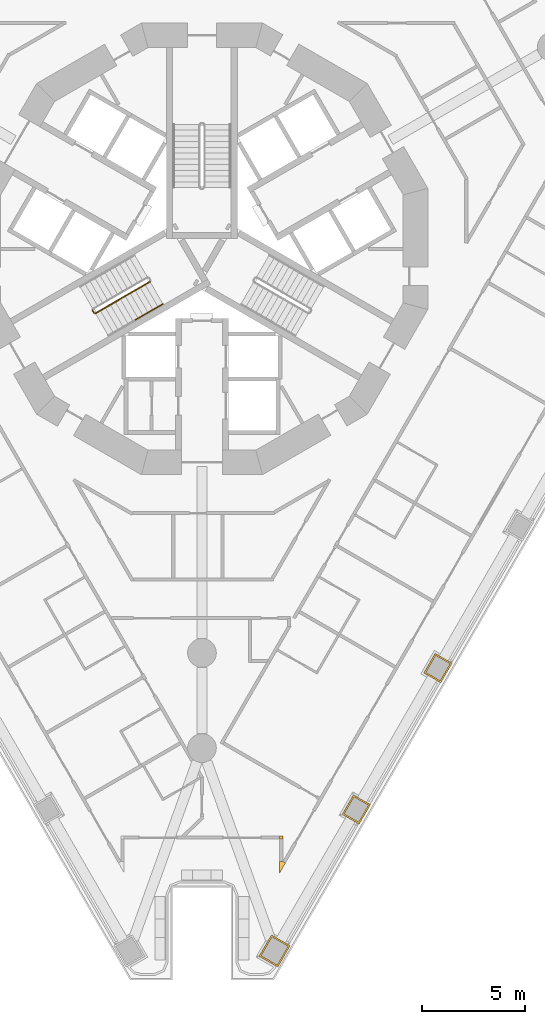
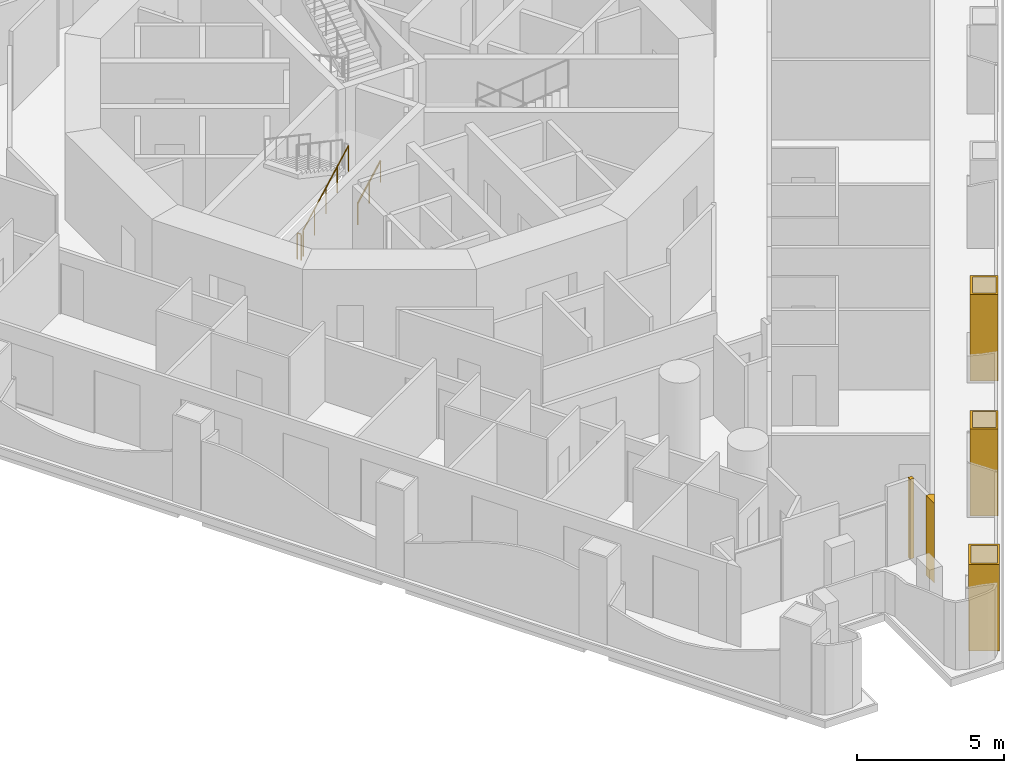
# One storey, part 14 of 20: 5 coverings, 3 railings.
"""IFC4 building model written with IfcOpenShell, lengths in metres."""

from ifc_helpers import new_model, si_unit, direction, frame, origin, origin_2d, place, context, subcontext, project, spatial, polyline, circle, outline, extrude, material, layer, layer_set, type_object, element, save


model = new_model("IFC4")

# Units and contexts
model_context = context("Model", 3, precision=1e-05, world=origin(), true_north=direction((0.0, 1.0)))
body_context = subcontext(model_context, "Body", "Model", "MODEL_VIEW")
ifc_project = project(units=[si_unit("LENGTHUNIT", "METRE"), si_unit("AREAUNIT", "SQUARE_METRE"), si_unit("VOLUMEUNIT", "CUBIC_METRE"), si_unit("PLANEANGLEUNIT", "RADIAN"), si_unit("MASSUNIT", "GRAM", prefix="KILO")], contexts=[model_context])

# Site, building, storey
site_placement = place(None, origin())
site = spatial("IfcSite", under=ifc_project, at=site_placement, CompositionType="ELEMENT")
building_placement = place(site_placement, origin())
building = spatial("IfcBuilding", under=site, at=building_placement, Name="Trine Commons Tower", CompositionType="ELEMENT")
storey_placement = place(building_placement, frame((0.0, 0.0, 35.10009765625)))
storey = spatial("IfcBuildingStorey", under=building, at=storey_placement, Name="L07", CompositionType="ELEMENT", Elevation=35.10009765625)

# Coverings
ifc_material_1 = material(Name="Aluminium-framed insulated wall panel", Category="aluminium")
ifc_layer_1 = layer(ifc_material_1, 0.14990234375)
ifc_layer_set_1 = layer_set([ifc_layer_1], Name="Aluminium-framed insulated wall panel")
covering_type_1 = type_object("IfcCoveringType", Name="Glazing corner post, aluminium", PredefinedType="CLADDING", material=ifc_layer_set_1)
covering_1_placement = place(storey_placement, origin())
element("IfcCovering", 1, at=covering_1_placement, inside=storey, type_object=covering_type_1, Name="Glazing corner post 1-09", PredefinedType="CLADDING", context=body_context, shape_type="SweptSolid", body=[
    extrude(outline(polyline([(83.7900390625, 32.635009765625), (83.7900390625, 32.0751953125), (84.06982421875, 32.56005859375), (83.93994140625, 32.635009765625), (83.93994140625, 32.635009765625), (83.7900390625, 32.635009765625)])), origin(), (0.0, 0.0, 1.0), 3.2998046875),
])
covering_2_placement = place(storey_placement, origin())
element("IfcCovering", 2, at=covering_2_placement, inside=storey, type_object=covering_type_1, Name="Glazing corner post 1-10", PredefinedType="CLADDING", context=body_context, shape_type="SweptSolid", body=[
    extrude(outline(polyline([(83.93994140625, 33.720703125), (83.93994140625, 33.870849609375), (83.7900390625, 33.870849609375), (83.7900390625, 33.720703125), (83.93994140625, 33.720703125)])), origin(), (0.0, 0.0, 1.0), 3.2998046875),
])
ifc_material_2 = material(Name="Limestone, honed", Category="masonry")
ifc_layer_2 = layer(ifc_material_2, 0.074951171875)
ifc_layer_set_2 = layer_set([ifc_layer_2], Name="Limestone, honed")
covering_type_2 = type_object("IfcCoveringType", Name="Limestone column cladding 75", PredefinedType="CLADDING", material=ifc_layer_set_2)
covering_3_placement = place(storey_placement, origin())
element("IfcCovering", 3, at=covering_3_placement, inside=storey, type_object=covering_type_2, Name="Limestone pier cladding 1-22", PredefinedType="CLADDING", context=body_context, shape_type="SweptSolid", body=[
    extrude(outline(polyline([(92.1943359375, 42.3017578125), (91.37158203125, 42.77685546875), (90.821533203125, 41.82421875), (91.644287109375, 41.34912109375), (92.1943359375, 42.3017578125)]), holes=[polyline([(92.091796875, 42.2744140625), (91.39892578125, 42.67431640625), (90.924072265625, 41.8515625), (91.61669921875, 41.45166015625), (92.091796875, 42.2744140625)])]), origin(), (0.0, 0.0, 1.0), 3.599853515625),
])
covering_4_placement = place(storey_placement, origin())
element("IfcCovering", 4, at=covering_4_placement, inside=storey, type_object=covering_type_2, Name="Limestone pier cladding 1-23", PredefinedType="CLADDING", context=body_context, shape_type="SweptSolid", body=[
    extrude(outline(polyline([(88.212646484375, 35.4052734375), (87.389892578125, 35.88037109375), (86.83984375, 34.927734375), (87.66259765625, 34.45263671875), (88.212646484375, 35.4052734375)]), holes=[polyline([(88.110107421875, 35.3779296875), (87.417236328125, 35.77783203125), (86.9423828125, 34.955078125), (87.635009765625, 34.55517578125), (88.110107421875, 35.3779296875)])]), origin(), (0.0, 0.0, 1.0), 3.599853515625),
])
covering_5_placement = place(storey_placement, origin())
element("IfcCovering", 5, at=covering_5_placement, inside=storey, type_object=covering_type_2, Name="Limestone pier cladding 1-24", PredefinedType="CLADDING", context=body_context, shape_type="SweptSolid", body=[
    extrude(outline(polyline([(84.29931640625, 28.527099609375), (83.389892578125, 29.052001953125), (82.789794921875, 28.012939453125), (83.69921875, 27.48779296875), (84.29931640625, 28.527099609375)]), holes=[polyline([(84.19677734375, 28.499755859375), (83.417236328125, 28.94970703125), (82.892333984375, 28.040283203125), (83.671630859375, 27.59033203125), (84.19677734375, 28.499755859375)])]), origin(), (0.0, 0.0, 1.0), 3.599853515625),
])

# Railings
ifc_material_3 = material(Name="Stainless steel balustrade", Category="steel")
railing_type_1 = type_object("IfcRailingType", Name="Stair guard, steel balustrade 1100", PredefinedType="GUARDRAIL", material=ifc_material_3)
railing_1_placement = place(storey_placement, frame((74.80517578125, 59.3564453125, 0.14990234375)))
element("IfcRailing", 6, at=railing_1_placement, inside=storey, type_object=railing_type_1, Name="L07 ST2A stair guard 1", PredefinedType="GUARDRAIL", context=body_context, shape_type="SweptSolid", body=[
    extrude(circle(Radius=0.02392578125, at=origin_2d()), frame((0.0, 0.0, 1.076171875), z_axis=(0.76340495495, 0.440743040072, 0.472184759798), x_axis=(-0.499992328818, 0.866029832698, 0.0)), (0.0, 0.0, 1.0), 3.494140625),
    extrude(circle(Radius=0.02099609375, at=origin_2d()), origin(), (0.0, 0.0, 1.0), 1.052001953125),
    extrude(circle(Radius=0.02099609375, at=origin_2d()), frame((0.6669921875, 0.385009765625, 0.41259765625)), (0.0, 0.0, 1.0), 1.052001953125),
    extrude(circle(Radius=0.02099609375, at=origin_2d()), frame((1.333740234375, 0.77001953125, 0.824951171875)), (0.0, 0.0, 1.0), 1.052001953125),
    extrude(circle(Radius=0.02099609375, at=origin_2d()), frame((2.00048828125, 1.155029296875, 1.2373046875)), (0.0, 0.0, 1.0), 1.052001953125),
    extrude(circle(Radius=0.02099609375, at=origin_2d()), frame((2.66748046875, 1.5400390625, 1.64990234375)), (0.0, 0.0, 1.0), 1.052001953125),
])
railing_2_placement = place(storey_placement, frame((74.73681640625, 59.374755859375, 0.0)))
element("IfcRailing", 7, at=railing_2_placement, inside=storey, type_object=railing_type_1, Name="L07 ST2A stair guard 4", PredefinedType="GUARDRAIL", context=body_context, shape_type="SweptSolid", body=[
    extrude(circle(Radius=0.02392578125, at=origin_2d()), frame((0.0, 0.0, 1.076171875), z_axis=(-0.499816412211, 0.866131372301, 0.0), x_axis=(-0.866131372301, -0.499816412211, 0.0)), (0.0, 0.0, 1.0), 0.14990234375),
    extrude(circle(Radius=0.02099609375, at=origin_2d()), origin(), (0.0, 0.0, 1.0), 1.052001953125),
    extrude(circle(Radius=0.02099609375, at=origin_2d()), frame((-0.074951171875, 0.1298828125, 0.0)), (0.0, 0.0, 1.0), 1.052001953125),
])
ifc_material_4 = material(Name="Stainless steel handrail", Category="steel")
railing_type_2 = type_object("IfcRailingType", Name="Stair handrail, steel 900", PredefinedType="HANDRAIL", material=ifc_material_4)
railing_3_placement = place(storey_placement, frame((76.763916015625, 59.0439453125, 0.974853515625)))
element("IfcRailing", 8, at=railing_3_placement, inside=storey, type_object=railing_type_2, Name="L07 ST2A stair handrail 2", PredefinedType="HANDRAIL", context=body_context, shape_type="SweptSolid", body=[
    extrude(circle(Radius=0.02099609375, at=origin_2d()), frame((0.0, 0.0, 0.87890625), z_axis=(0.76340495495, 0.440743040072, 0.472184759798), x_axis=(-0.499992328818, 0.866029832698, 0.0)), (0.0, 0.0, 1.0), 1.7470703125),
    extrude(circle(Radius=0.01513671875, at=origin_2d()), origin(), (0.0, 0.0, 1.0), 0.85791015625),
    extrude(circle(Radius=0.01513671875, at=origin_2d()), frame((0.6669921875, 0.385009765625, 0.41259765625)), (0.0, 0.0, 1.0), 0.85791015625),
    extrude(circle(Radius=0.01513671875, at=origin_2d()), frame((1.333740234375, 0.77001953125, 0.824951171875)), (0.0, 0.0, 1.0), 0.85791015625),
])

save(model, "model.ifc")
